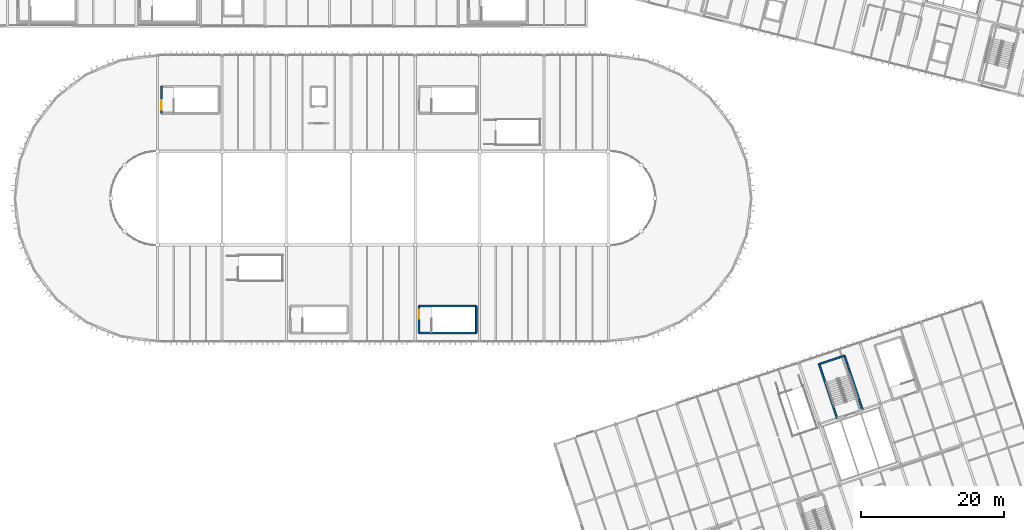
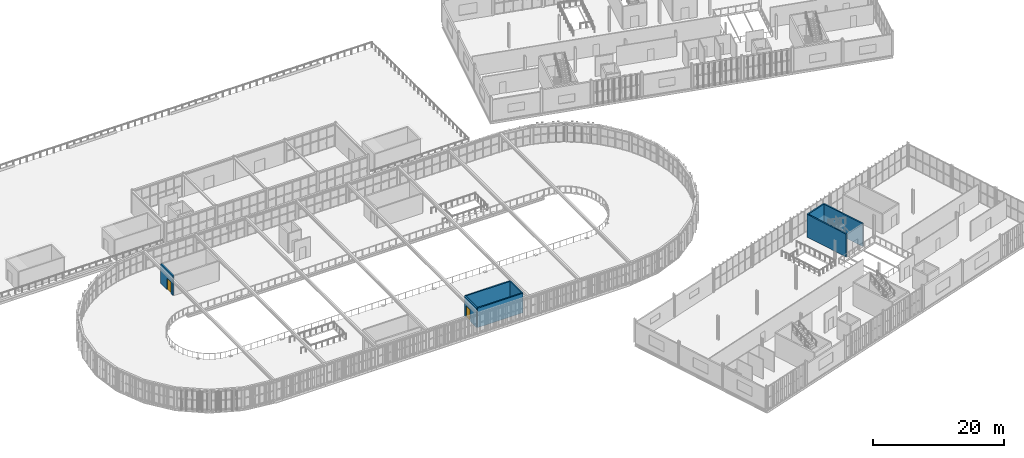
# One storey, part 121 of 152: 8 walls, 2 doors, 2 openings.
"""IFC4 building model written with IfcOpenShell, lengths in metres."""

from ifc_helpers import new_model, si_unit, derived_unit, direction, frame, frame_2d, origin, place, context, subcontext, project, spatial, rectangle, extrude, material, layer, layer_set, type_object, element, fill, save


model = new_model("IFC4")

# Units and contexts
model_context = context("Model", 3, precision=1e-05, world=origin(), true_north=direction((0.0, 1.0)))
body_context = subcontext(model_context, "Body", "Model", "MODEL_VIEW")
ifc_project = project(units=[si_unit("LENGTHUNIT", "METRE"), si_unit("AREAUNIT", "SQUARE_METRE"), si_unit("VOLUMEUNIT", "CUBIC_METRE"), si_unit("PLANEANGLEUNIT", "RADIAN"), si_unit("MASSUNIT", "GRAM", prefix="KILO"), si_unit("THERMODYNAMICTEMPERATUREUNIT", "KELVIN"), si_unit("TIMEUNIT", "SECOND"), derived_unit("THERMALTRANSMITTANCEUNIT", [(si_unit("MASSUNIT", "GRAM", prefix="KILO"), 1), (si_unit("THERMODYNAMICTEMPERATUREUNIT", "KELVIN"), -1), (si_unit("TIMEUNIT", "SECOND"), -3)])], contexts=[model_context])

# Site, building, storey
site_placement = place(None, origin())
site = spatial("IfcSite", under=ifc_project, at=site_placement, CompositionType="ELEMENT")
building_placement = place(site_placement, origin())
building = spatial("IfcBuilding", under=site, at=building_placement, Name="Cambertide Market Hall", CompositionType="ELEMENT")
storey_placement = place(building_placement, frame((0.0, 0.0, 5.39990234375)))
storey = spatial("IfcBuildingStorey", under=building, at=storey_placement, Name="L02", CompositionType="ELEMENT", Elevation=5.39990234375)

# Wall, opening, door
ifc_material_1 = material(Name="Concrete B35", Category="concrete")
ifc_layer = layer(ifc_material_1, 0.239990234375, Name="Stair & Lift Core Shaft Wall 240")
ifc_layer_set = layer_set([ifc_layer], Name="Concrete B35")
wall_type = type_object("IfcWallType", Name="Stair & Lift Core Shaft Wall 240", PredefinedType="SOLIDWALL", material=ifc_layer_set)
wall_1_placement = place(storey_placement, frame((42.52490234375, 83.875, 0.0), z_axis=(0.0, 0.0, 1.0), x_axis=(0.0, 1.0, 0.0)))
wall_1 = element("IfcWall", 1, at=wall_1_placement, inside=storey, type_object=wall_type, Name="Level 2 Interior Wall SHW-ST-01-L02-NEAR", PredefinedType="SOLIDWALL", context=body_context, shape_type="SweptSolid", body=[
    extrude(rectangle(XDim=3.75, YDim=0.239990234375, at=frame_2d((1.875, 0.0))), origin(), (0.0, 0.0, 1.0), 3.64013671875),
])
opening_1_placement = place(wall_1_placement, frame((0.489990234375, 0.0, 0.0)))
opening_1 = element("IfcOpeningElement", 2, at=opening_1_placement, cuts=wall_1, Name="Opening FD-01", PredefinedType="OPENING", context=body_context, shape_type="SweptSolid", body=[
    extrude(rectangle(XDim=1.300048828125, YDim=2.14990234375, at=frame_2d((0.64990234375, 1.074951171875))), frame((0.0, 0.1298828125, 0.0), z_axis=(0.0, -1.0, 0.0), x_axis=(1.0, 0.0, 0.0)), (0.0, 0.0, 1.0), 0.260009765625),
])
ifc_material_2 = material(Name="Powder-Coated Galvanized Sheet Metal", Category="metal")
door_type = type_object("IfcDoorType", Name="Stair Core Fire Door 1300x2150", OperationType="NOTDEFINED", PredefinedType="DOOR", material=ifc_material_2)
door_1_placement = place(opening_1_placement, origin())
door_1 = element("IfcDoor", 3, at=door_1_placement, inside=storey, type_object=door_type, Name="Level 2 Door SHW-ST-01-L02-NEAR-DR1", OperationType="SINGLE_SWING_RIGHT", OverallHeight=2.14990234375, OverallWidth=1.300048828125, PredefinedType="DOOR", context=body_context, shape_type="SweptSolid", body=[
    extrude(rectangle(XDim=1.300048828125, YDim=2.14990234375, at=frame_2d((0.64990234375, 1.074951171875))), frame((0.0, 0.02490234375, 0.0), z_axis=(0.0, -1.0, 0.0), x_axis=(1.0, 0.0, 0.0)), (0.0, 0.0, 1.0), 0.050048828125),
])
fill(opening_1, door_1)

wall_2_placement = place(storey_placement, frame((78.52490234375, 53.175048828125, 0.0), z_axis=(0.0, 0.0, 1.0), x_axis=(0.0, 1.0, 0.0)))
wall_2 = element("IfcWall", 4, at=wall_2_placement, inside=storey, type_object=wall_type, Name="Level 2 Interior Wall SHW-ST-02B-L02-NEAR", PredefinedType="SOLIDWALL", context=body_context, shape_type="SweptSolid", body=[
    extrude(rectangle(XDim=3.75, YDim=0.239990234375, at=frame_2d((1.875, 0.0))), origin(), (0.0, 0.0, 1.0), 3.64013671875),
])
opening_2_placement = place(wall_2_placement, frame((1.9599609375, 0.0, 0.0)))
opening_2 = element("IfcOpeningElement", 5, at=opening_2_placement, cuts=wall_2, Name="Opening FD-01", PredefinedType="OPENING", context=body_context, shape_type="SweptSolid", body=[
    extrude(rectangle(XDim=1.300048828125, YDim=2.14990234375, at=frame_2d((0.64990234375, 1.074951171875))), frame((0.0, 0.1298828125, 0.0), z_axis=(0.0, -1.0, 0.0), x_axis=(1.0, 0.0, 0.0)), (0.0, 0.0, 1.0), 0.260009765625),
])
door_2_placement = place(opening_2_placement, origin())
door_2 = element("IfcDoor", 6, at=door_2_placement, inside=storey, type_object=door_type, Name="Level 2 Door SHW-ST-02B-L02-NEAR-DR1", OperationType="SINGLE_SWING_RIGHT", OverallHeight=2.14990234375, OverallWidth=1.300048828125, PredefinedType="DOOR", context=body_context, shape_type="SweptSolid", body=[
    extrude(rectangle(XDim=1.300048828125, YDim=2.14990234375, at=frame_2d((0.64990234375, 1.074951171875))), frame((0.0, 0.02490234375, 0.0), z_axis=(0.0, -1.0, 0.0), x_axis=(1.0, 0.0, 0.0)), (0.0, 0.0, 1.0), 0.050048828125),
])
fill(opening_2, door_2)

# Walls
wall_3_placement = place(storey_placement, frame((86.52490234375, 53.175048828125, 0.0), z_axis=(0.0, 0.0, 1.0), x_axis=(-1.0, 0.0, 0.0)))
element("IfcWall", 7, at=wall_3_placement, inside=storey, type_object=wall_type, Name="Level 2 Interior Wall SHW-ST-02B-L02-L", PredefinedType="SOLIDWALL", context=body_context, shape_type="SweptSolid", body=[
    extrude(rectangle(XDim=8.0, YDim=0.239990234375, at=frame_2d((4.0, 0.0))), origin(), (0.0, 0.0, 1.0), 3.64013671875),
])
wall_4_placement = place(storey_placement, frame((86.52490234375, 56.925048828125, 0.0), z_axis=(0.0, 0.0, 1.0), x_axis=(0.0, -1.0, 0.0)))
element("IfcWall", 8, at=wall_4_placement, inside=storey, type_object=wall_type, Name="Level 2 Interior Wall SHW-ST-02B-L02-FAR", PredefinedType="SOLIDWALL", context=body_context, shape_type="SweptSolid", body=[
    extrude(rectangle(XDim=3.75, YDim=0.239990234375, at=frame_2d((1.875, 0.0))), origin(), (0.0, 0.0, 1.0), 3.64013671875),
])
wall_5_placement = place(storey_placement, frame((78.52490234375, 56.925048828125, 0.0), z_axis=(0.0, 0.0, 1.0), x_axis=(1.0, 0.0, 0.0)))
element("IfcWall", 9, at=wall_5_placement, inside=storey, type_object=wall_type, Name="Level 2 Interior Wall SHW-ST-02B-L02-R", PredefinedType="SOLIDWALL", context=body_context, shape_type="SweptSolid", body=[
    extrude(rectangle(XDim=8.0, YDim=0.239990234375, at=frame_2d((4.0, 0.0))), origin(), (0.0, 0.0, 1.0), 3.64013671875),
])
wall_6_placement = place(storey_placement, frame((138.002197265625, 49.994873046875, 0.0), z_axis=(0.0, 0.0, 1.0), x_axis=(0.31621861086, -0.94868634972, 0.0)))
element("IfcWall", 10, at=wall_6_placement, inside=storey, type_object=wall_type, Name="Level 2 Interior Wall SHW-ST-06B-L02-L", PredefinedType="SOLIDWALL", context=body_context, shape_type="SweptSolid", body=[
    extrude(rectangle(XDim=8.0, YDim=0.239990234375, at=frame_2d((4.0, 0.0))), origin(), (0.0, 0.0, 1.0), 4.27001953125),
])
wall_7_placement = place(storey_placement, frame((134.444580078125, 48.808837890625, 0.0), z_axis=(0.0, 0.0, 1.0), x_axis=(0.948670276792, 0.316266827111, 0.0)))
element("IfcWall", 11, at=wall_7_placement, inside=storey, type_object=wall_type, Name="Level 2 Interior Wall SHW-ST-06B-L02-FAR", PredefinedType="SOLIDWALL", context=body_context, shape_type="SweptSolid", body=[
    extrude(rectangle(XDim=3.75, YDim=0.239990234375, at=frame_2d((1.875, 0.0))), origin(), (0.0, 0.0, 1.0), 4.27001953125),
])
wall_8_placement = place(storey_placement, frame((136.974609375, 41.219482421875, 0.0), z_axis=(0.0, 0.0, 1.0), x_axis=(-0.316255231841, 0.948674142334, 0.0)))
element("IfcWall", 12, at=wall_8_placement, inside=storey, type_object=wall_type, Name="Level 2 Interior Wall SHW-ST-06B-L02-R", PredefinedType="SOLIDWALL", context=body_context, shape_type="SweptSolid", body=[
    extrude(rectangle(XDim=8.0, YDim=0.239990234375, at=frame_2d((4.0, 0.0))), origin(), (0.0, 0.0, 1.0), 4.27001953125),
])

save(model, "model.ifc")
